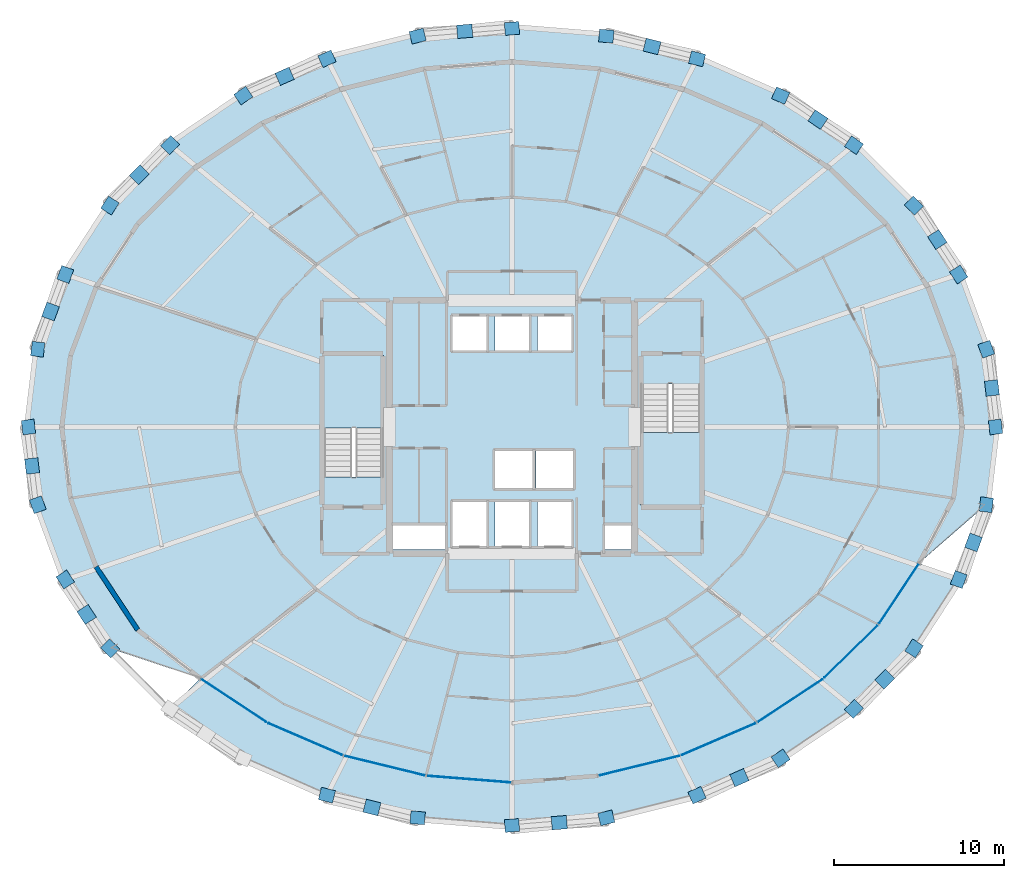
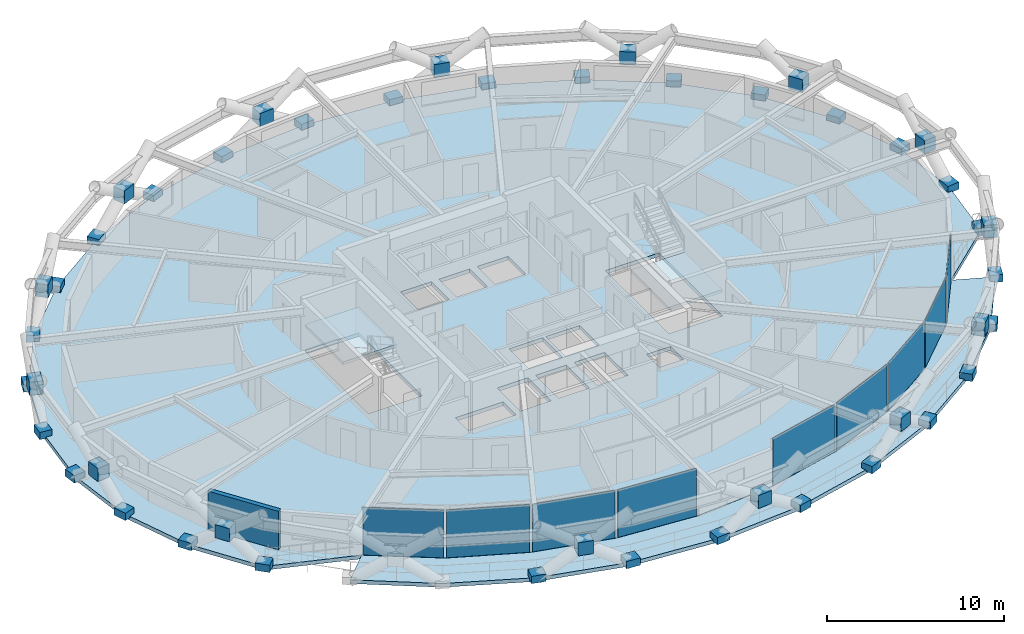
# One storey, part 12 of 19: 54 plates, 4 slabs, 1 wall, 4 elements without a shape of their own.
"""IFC4 building model written with IfcOpenShell, lengths in metres."""

from ifc_helpers import new_model, si_unit, direction, frame, frame_2d, origin, origin_2d, place, context, subcontext, project, spatial, polyline, rectangle, outline, extrude, material, layer, layer_set, type_object, element, aggregate, save


model = new_model("IFC4")

# Units and contexts
model_context = context("Model", 3, precision=1e-05, world=origin(), true_north=direction((0.0, 1.0)))
body_context = subcontext(model_context, "Body", "Model", "MODEL_VIEW")
ifc_project = project(units=[si_unit("LENGTHUNIT", "METRE"), si_unit("AREAUNIT", "SQUARE_METRE"), si_unit("VOLUMEUNIT", "CUBIC_METRE"), si_unit("PLANEANGLEUNIT", "RADIAN"), si_unit("MASSUNIT", "GRAM", prefix="KILO")], contexts=[model_context])

# Site, building, storey
site_placement = place(None, origin())
site = spatial("IfcSite", under=ifc_project, at=site_placement, CompositionType="ELEMENT")
building_placement = place(site_placement, origin())
building = spatial("IfcBuilding", under=site, at=building_placement, Name="Veldorina Hangang Commons", CompositionType="ELEMENT")
storey_placement = place(building_placement, frame((0.0, 0.0, 52.0)))
storey = spatial("IfcBuildingStorey", under=building, at=storey_placement, Name="L12", CompositionType="ELEMENT", Elevation=52.0)

# Curtain wall, plates
ifc_material_1 = material(Name="Glass Low-E Triple IGU", Category="glass")
ifc_layer_1 = layer(ifc_material_1, 0.179931640625)
ifc_layer_set_1 = layer_set([ifc_layer_1], Name="Glass Low-E Triple IGU")
curtain_wall_type = type_object("IfcCurtainWallType", Name="CW-SYS-Z1", PredefinedType="NOTDEFINED", material=ifc_layer_set_1)
curtain_wall_1_placement = place(storey_placement, origin())
curtain_wall_1 = element("IfcCurtainWall", 1, at=curtain_wall_1_placement, inside=storey, type_object=curtain_wall_type, Name="L12 unitised curtain wall CW-L12-R1", PredefinedType="NOTDEFINED")
ifc_layer_2 = layer(ifc_material_1, 0.0400390625)
ifc_layer_set_2 = layer_set([ifc_layer_2], Name="Glass Low-E Triple IGU")
plate_type_1 = type_object("IfcPlateType", Name="CW-PNL-VIS", PredefinedType="CURTAIN_PANEL", material=ifc_layer_set_2)
plate_1_placement = place(storey_placement, frame((15.638671875, 7.91015625, 0.014892578125), z_axis=(0.0, 0.0, 1.0), x_axis=(0.833712384802, -0.552198931028, 0.0)))
plate_1 = element("IfcPlate", 2, at=plate_1_placement, type_object=plate_type_1, Name="CW-L12-R1 facet 1 glazed vision panel", PredefinedType="CURTAIN_PANEL", context=body_context, shape_type="SweptSolid", body=[
    extrude(rectangle(XDim=4.530517578125, YDim=0.0400390625, at=origin_2d()), origin(), (0.0, 0.0, 1.0), 3.27001953125),
])
plate_2_placement = place(storey_placement, frame((19.842529296875, 5.643310546875, 0.014892578125), z_axis=(0.0, 0.0, 1.0), x_axis=(0.918211498221, -0.396090449942, 0.0)))
plate_2 = element("IfcPlate", 3, at=plate_2_placement, type_object=plate_type_1, Name="CW-L12-R1 facet 2 glazed vision panel", PredefinedType="CURTAIN_PANEL", context=body_context, shape_type="SweptSolid", body=[
    extrude(rectangle(XDim=4.699462890625, YDim=0.0400390625, at=origin_2d()), origin(), (0.0, 0.0, 1.0), 3.27001953125),
])
plate_3_placement = place(storey_placement, frame((24.513427734375, 4.081787109375, 0.014892578125), z_axis=(0.0, 0.0, 1.0), x_axis=(0.971313023754, -0.237804562373, 0.0)))
plate_3 = element("IfcPlate", 4, at=plate_3_placement, type_object=plate_type_1, Name="CW-L12-R1 facet 3 glazed vision panel", PredefinedType="CURTAIN_PANEL", context=body_context, shape_type="SweptSolid", body=[
    extrude(rectangle(XDim=4.8251953125, YDim=0.0400390625, at=origin_2d()), origin(), (0.0, 0.0, 1.0), 3.27001953125),
])
plate_4_placement = place(storey_placement, frame((29.47216796875, 3.285888671875, 0.014892578125), z_axis=(0.0, 0.0, 1.0), x_axis=(0.996855404635, -0.079242048492, 0.0)))
plate_4 = element("IfcPlate", 5, at=plate_4_placement, type_object=plate_type_1, Name="CW-L12-R1 facet 4 glazed vision panel", PredefinedType="CURTAIN_PANEL", context=body_context, shape_type="SweptSolid", body=[
    extrude(rectangle(XDim=4.8916015625, YDim=0.0400390625, at=origin_2d()), origin(), (0.0, 0.0, 1.0), 3.27001953125),
])
aggregate(curtain_wall_1, [plate_1, plate_2, plate_3, plate_4])

curtain_wall_2_placement = place(storey_placement, origin())
curtain_wall_2 = element("IfcCurtainWall", 6, at=curtain_wall_2_placement, inside=storey, type_object=curtain_wall_type, Name="L12 unitised curtain wall CW-L12-R2", PredefinedType="NOTDEFINED")
plate_5_placement = place(storey_placement, frame((39.486572265625, 4.081787109375, 0.014892578125), z_axis=(0.0, 0.0, 1.0), x_axis=(0.971313023754, 0.237804562373, 0.0)))
plate_5 = element("IfcPlate", 7, at=plate_5_placement, type_object=plate_type_1, Name="CW-L12-R2 facet 1 glazed vision panel", PredefinedType="CURTAIN_PANEL", context=body_context, shape_type="SweptSolid", body=[
    extrude(rectangle(XDim=4.8251953125, YDim=0.0400390625, at=origin_2d()), origin(), (0.0, 0.0, 1.0), 3.27001953125),
])
plate_6_placement = place(storey_placement, frame((44.157470703125, 5.643310546875, 0.014892578125), z_axis=(0.0, 0.0, 1.0), x_axis=(0.918211498221, 0.396090449942, 0.0)))
plate_6 = element("IfcPlate", 8, at=plate_6_placement, type_object=plate_type_1, Name="CW-L12-R2 facet 2 glazed vision panel", PredefinedType="CURTAIN_PANEL", context=body_context, shape_type="SweptSolid", body=[
    extrude(rectangle(XDim=4.699462890625, YDim=0.0400390625, at=origin_2d()), origin(), (0.0, 0.0, 1.0), 3.27001953125),
])
plate_7_placement = place(storey_placement, frame((48.361083984375, 7.91015625, 0.014892578125), z_axis=(0.0, 0.0, 1.0), x_axis=(0.833712384802, 0.552198931028, 0.0)))
plate_7 = element("IfcPlate", 9, at=plate_7_placement, type_object=plate_type_1, Name="CW-L12-R2 facet 3 glazed vision panel", PredefinedType="CURTAIN_PANEL", context=body_context, shape_type="SweptSolid", body=[
    extrude(rectangle(XDim=4.530517578125, YDim=0.0400390625, at=origin_2d()), origin(), (0.0, 0.0, 1.0), 3.27001953125),
])
plate_8_placement = place(storey_placement, frame((51.936279296875, 10.79541015625, 0.014892578125), z_axis=(0.0, 0.0, 1.0), x_axis=(0.713005742217, 0.701158192968, 0.0)))
plate_8 = element("IfcPlate", 10, at=plate_8_placement, type_object=plate_type_1, Name="CW-L12-R2 facet 4 glazed vision panel", PredefinedType="CURTAIN_PANEL", context=body_context, shape_type="SweptSolid", body=[
    extrude(rectangle(XDim=4.340087890625, YDim=0.0400390625, at=origin_2d()), origin(), (0.0, 0.0, 1.0), 3.27001953125),
])
plate_9_placement = place(storey_placement, frame((54.7451171875, 14.18798828125, 0.014892578125), z_axis=(0.0, 0.0, 1.0), x_axis=(0.552169828639, 0.833731659673, 0.0)))
plate_9 = element("IfcPlate", 11, at=plate_9_placement, type_object=plate_type_1, Name="CW-L12-R2 facet 5 glazed vision panel", PredefinedType="CURTAIN_PANEL", context=body_context, shape_type="SweptSolid", body=[
    extrude(rectangle(XDim=4.156982421875, YDim=0.0400390625, at=origin_2d()), origin(), (0.0, 0.0, 1.0), 3.27001953125),
])
aggregate(curtain_wall_2, [plate_5, plate_6, plate_7, plate_8, plate_9])

# Plates
ifc_material_2 = material(Name="Steel SM460-TMC", Category="steel")
ifc_layer_3 = layer(ifc_material_2, 0.035888671875)
ifc_layer_set_3 = layer_set([ifc_layer_3], Name="Steel SM460-TMC")
plate_type_2 = type_object("IfcPlateType", Name="PL-STAR-36", PredefinedType="USERDEFINED", material=ifc_layer_set_3)
plate_10_placement = place(storey_placement, frame((60.435302734375, 24.0, -0.090087890625), z_axis=(0.0, 0.0, 1.0), x_axis=(-0.118663922008, 0.992934475992, 0.0)))
element("IfcPlate", 12, at=plate_10_placement, inside=storey, type_object=plate_type_2, Name="L12 diagrid star-node gusset plate 00", ObjectType="GUSSET PLATE", PredefinedType="USERDEFINED", context=body_context, shape_type="SweptSolid", body=[
    extrude(rectangle(XDim=0.85009765625, YDim=0.75, at=origin_2d()), origin(), (0.0, 0.0, 1.0), 0.5),
])
plate_11_placement = place(storey_placement, frame((60.22412109375, 26.2919921875, 1.34521484375), z_axis=(0.0, 0.0, 1.0), x_axis=(-0.118663922008, 0.992934475992, 0.0)))
element("IfcPlate", 13, at=plate_11_placement, inside=storey, type_object=plate_type_2, Name="L12 diagrid X-crossing star-node gusset plate 00", ObjectType="GUSSET PLATE", PredefinedType="USERDEFINED", context=body_context, shape_type="SweptSolid", body=[
    extrude(rectangle(XDim=0.89990234375, YDim=0.780029296875, at=origin_2d()), origin(), (0.0, 0.0, 1.0), 0.89990234375),
])
for number, where, z_axis, x_axis, name in (
    (14, (59.888916015625, 28.572021484375, -0.090087890625), (0.0, 0.0, 1.0), (-0.345412854974, 0.938450829622, 0.0), "L12 diagrid star-node gusset plate 01"),
    (15, (58.270751953125, 32.96826171875, -0.090087890625), (0.0, 0.0, 1.0), (-0.544141262017, 0.838993615572, 0.0), "L12 diagrid star-node gusset plate 02"),
):
    element("IfcPlate", number, at=place(storey_placement, frame(where, z_axis=z_axis, x_axis=x_axis)), inside=storey, type_object=plate_type_2, Name=name, ObjectType="GUSSET PLATE", PredefinedType="USERDEFINED", context=body_context, shape_type="SweptSolid", body=[
        extrude(rectangle(XDim=0.85009765625, YDim=0.75, at=origin_2d()), origin(), (0.0, 0.0, 1.0), 0.5),
    ])
plate_12_placement = place(storey_placement, frame((57.01220703125, 35.023681640625, 1.345458984375), z_axis=(0.0, 0.0, 1.0), x_axis=(-0.544141262017, 0.838993615572, 0.0)))
element("IfcPlate", 16, at=plate_12_placement, inside=storey, type_object=plate_type_2, Name="L12 diagrid X-crossing star-node gusset plate 02", ObjectType="GUSSET PLATE", PredefinedType="USERDEFINED", context=body_context, shape_type="SweptSolid", body=[
    extrude(rectangle(XDim=0.89990234375, YDim=0.780029296875, at=origin_2d()), origin(), (0.0, 0.0, 1.0), 0.89990234375),
])
for number, where, z_axis, x_axis, name in (
    (17, (55.64306640625, 37.02001953125, -0.090087890625), (0.0, 0.0, 1.0), (-0.705611903162, 0.708598505584, 0.0), "L12 diagrid star-node gusset plate 03"),
    (18, (52.106689453125, 40.5712890625, -0.090087890625), (0.0, 0.0, 1.0), (-0.828314659262, 0.560263174992, 0.0), "L12 diagrid star-node gusset plate 04"),
):
    element("IfcPlate", number, at=place(storey_placement, frame(where, z_axis=z_axis, x_axis=x_axis)), inside=storey, type_object=plate_type_2, Name=name, ObjectType="GUSSET PLATE", PredefinedType="USERDEFINED", context=body_context, shape_type="SweptSolid", body=[
        extrude(rectangle(XDim=0.85009765625, YDim=0.75, at=origin_2d()), origin(), (0.0, 0.0, 1.0), 0.5),
    ])
plate_13_placement = place(storey_placement, frame((49.9921875, 42.076904296875, 1.345947265625), z_axis=(0.0, 0.0, 1.0), x_axis=(-0.828314659262, 0.560263174992, 0.0)))
element("IfcPlate", 19, at=plate_13_placement, inside=storey, type_object=plate_type_2, Name="L12 diagrid X-crossing star-node gusset plate 04", ObjectType="GUSSET PLATE", PredefinedType="USERDEFINED", context=body_context, shape_type="SweptSolid", body=[
    extrude(rectangle(XDim=0.89990234375, YDim=0.780029296875, at=origin_2d()), origin(), (0.0, 0.0, 1.0), 0.89990234375),
])
for number, where, z_axis, x_axis, name in (
    (20, (47.7978515625, 43.485595703125, -0.090087890625), (0.0, 0.0, 1.0), (-0.915142696685, 0.40313005929, 0.0), "L12 diagrid star-node gusset plate 05"),
    (21, (42.881591796875, 45.6513671875, -0.090087890625), (0.0, 0.0, 1.0), (-0.970143530747, 0.242531502591, 0.0), "L12 diagrid star-node gusset plate 06"),
):
    element("IfcPlate", number, at=place(storey_placement, frame(where, z_axis=z_axis, x_axis=x_axis)), inside=storey, type_object=plate_type_2, Name=name, ObjectType="GUSSET PLATE", PredefinedType="USERDEFINED", context=body_context, shape_type="SweptSolid", body=[
        extrude(rectangle(XDim=0.85009765625, YDim=0.75, at=origin_2d()), origin(), (0.0, 0.0, 1.0), 0.5),
    ])
plate_14_placement = place(storey_placement, frame((40.232666015625, 46.3779296875, 1.345947265625), z_axis=(0.0, 0.0, 1.0), x_axis=(-0.970143530747, 0.242531502591, 0.0)))
element("IfcPlate", 22, at=plate_14_placement, inside=storey, type_object=plate_type_2, Name="L12 diagrid X-crossing star-node gusset plate 06", ObjectType="GUSSET PLATE", PredefinedType="USERDEFINED", context=body_context, shape_type="SweptSolid", body=[
    extrude(rectangle(XDim=0.89990234375, YDim=0.780029296875, at=origin_2d()), origin(), (0.0, 0.0, 1.0), 0.89990234375),
])
for number, where, z_axis, x_axis, name in (
    (23, (37.54736328125, 46.98486328125, -0.090087890625), (0.0, 0.0, 1.0), (-0.996721234108, 0.080912183742, 0.0), "L12 diagrid star-node gusset plate 07"),
    (24, (32.0, 47.435302734375, -0.090087890625), (0.0, 0.0, 1.0), (-0.996721234108, -0.080912183742, 0.0), "L12 diagrid star-node gusset plate 08"),
):
    element("IfcPlate", number, at=place(storey_placement, frame(where, z_axis=z_axis, x_axis=x_axis)), inside=storey, type_object=plate_type_2, Name=name, ObjectType="GUSSET PLATE", PredefinedType="USERDEFINED", context=body_context, shape_type="SweptSolid", body=[
        extrude(rectangle(XDim=0.85009765625, YDim=0.75, at=origin_2d()), origin(), (0.0, 0.0, 1.0), 0.5),
    ])
plate_15_placement = place(storey_placement, frame((29.22021484375, 47.27197265625, 1.345947265625), z_axis=(0.0, 0.0, 1.0), x_axis=(-0.996721234108, -0.080912183742, 0.0)))
element("IfcPlate", 25, at=plate_15_placement, inside=storey, type_object=plate_type_2, Name="L12 diagrid X-crossing star-node gusset plate 08", ObjectType="GUSSET PLATE", PredefinedType="USERDEFINED", context=body_context, shape_type="SweptSolid", body=[
    extrude(rectangle(XDim=0.89990234375, YDim=0.780029296875, at=origin_2d()), origin(), (0.0, 0.0, 1.0), 0.89990234375),
])
for number, where, z_axis, x_axis, name in (
    (26, (26.45263671875, 46.98486328125, -0.090087890625), (0.0, 0.0, 1.0), (-0.970143530747, -0.242531502591, 0.0), "L12 diagrid star-node gusset plate 09"),
    (27, (21.118408203125, 45.6513671875, -0.090087890625), (0.0, 0.0, 1.0), (-0.915142696685, -0.40313005929, 0.0), "L12 diagrid star-node gusset plate 10"),
):
    element("IfcPlate", number, at=place(storey_placement, frame(where, z_axis=z_axis, x_axis=x_axis)), inside=storey, type_object=plate_type_2, Name=name, ObjectType="GUSSET PLATE", PredefinedType="USERDEFINED", context=body_context, shape_type="SweptSolid", body=[
        extrude(rectangle(XDim=0.85009765625, YDim=0.75, at=origin_2d()), origin(), (0.0, 0.0, 1.0), 0.5),
    ])
plate_16_placement = place(storey_placement, frame((18.631103515625, 44.623046875, 1.345947265625), z_axis=(0.0, 0.0, 1.0), x_axis=(-0.915142696685, -0.40313005929, 0.0)))
element("IfcPlate", 28, at=plate_16_placement, inside=storey, type_object=plate_type_2, Name="L12 diagrid X-crossing star-node gusset plate 10", ObjectType="GUSSET PLATE", PredefinedType="USERDEFINED", context=body_context, shape_type="SweptSolid", body=[
    extrude(rectangle(XDim=0.89990234375, YDim=0.780029296875, at=origin_2d()), origin(), (0.0, 0.0, 1.0), 0.89990234375),
])
for number, where, z_axis, x_axis, name in (
    (29, (16.2021484375, 43.485595703125, -0.090087890625), (0.0, 0.0, 1.0), (-0.828314659262, -0.560263174992, 0.0), "L12 diagrid star-node gusset plate 11"),
    (30, (11.893310546875, 40.5712890625, -0.090087890625), (0.0, 0.0, 1.0), (-0.705611903162, -0.708598505584, 0.0), "L12 diagrid star-node gusset plate 12"),
):
    element("IfcPlate", number, at=place(storey_placement, frame(where, z_axis=z_axis, x_axis=x_axis)), inside=storey, type_object=plate_type_2, Name=name, ObjectType="GUSSET PLATE", PredefinedType="USERDEFINED", context=body_context, shape_type="SweptSolid", body=[
        extrude(rectangle(XDim=0.85009765625, YDim=0.75, at=origin_2d()), origin(), (0.0, 0.0, 1.0), 0.5),
    ])
plate_17_placement = place(storey_placement, frame((10.077392578125, 38.834716796875, 1.345703125), z_axis=(0.0, 0.0, 1.0), x_axis=(-0.705611903162, -0.708598505584, 0.0)))
element("IfcPlate", 31, at=plate_17_placement, inside=storey, type_object=plate_type_2, Name="L12 diagrid X-crossing star-node gusset plate 12", ObjectType="GUSSET PLATE", PredefinedType="USERDEFINED", context=body_context, shape_type="SweptSolid", body=[
    extrude(rectangle(XDim=0.89990234375, YDim=0.780029296875, at=origin_2d()), origin(), (0.0, 0.0, 1.0), 0.89990234375),
])
for number, where, z_axis, x_axis, name in (
    (32, (8.35693359375, 37.02001953125, -0.090087890625), (0.0, 0.0, 1.0), (-0.544141262017, -0.838993615572, 0.0), "L12 diagrid star-node gusset plate 13"),
    (33, (5.729248046875, 32.96826171875, -0.090087890625), (0.0, 0.0, 1.0), (-0.345412854974, -0.938450829622, 0.0), "L12 diagrid star-node gusset plate 14"),
):
    element("IfcPlate", number, at=place(storey_placement, frame(where, z_axis=z_axis, x_axis=x_axis)), inside=storey, type_object=plate_type_2, Name=name, ObjectType="GUSSET PLATE", PredefinedType="USERDEFINED", context=body_context, shape_type="SweptSolid", body=[
        extrude(rectangle(XDim=0.85009765625, YDim=0.75, at=origin_2d()), origin(), (0.0, 0.0, 1.0), 0.5),
    ])
plate_18_placement = place(storey_placement, frame((4.861083984375, 30.7880859375, 1.345458984375), z_axis=(0.0, 0.0, 1.0), x_axis=(-0.345412854974, -0.938450829622, 0.0)))
element("IfcPlate", 34, at=plate_18_placement, inside=storey, type_object=plate_type_2, Name="L12 diagrid X-crossing star-node gusset plate 14", ObjectType="GUSSET PLATE", PredefinedType="USERDEFINED", context=body_context, shape_type="SweptSolid", body=[
    extrude(rectangle(XDim=0.89990234375, YDim=0.780029296875, at=origin_2d()), origin(), (0.0, 0.0, 1.0), 0.89990234375),
])
for number, where, z_axis, x_axis, name in (
    (35, (4.111083984375, 28.572021484375, -0.090087890625), (0.0, 0.0, 1.0), (-0.118663922008, -0.992934475992, 0.0), "L12 diagrid star-node gusset plate 15"),
    (36, (3.564697265625, 24.0, -0.090087890625), (0.0, 0.0, 1.0), (0.118663922008, -0.992934475992, 0.0), "L12 diagrid star-node gusset plate 16"),
):
    element("IfcPlate", number, at=place(storey_placement, frame(where, z_axis=z_axis, x_axis=x_axis)), inside=storey, type_object=plate_type_2, Name=name, ObjectType="GUSSET PLATE", PredefinedType="USERDEFINED", context=body_context, shape_type="SweptSolid", body=[
        extrude(rectangle(XDim=0.85009765625, YDim=0.75, at=origin_2d()), origin(), (0.0, 0.0, 1.0), 0.5),
    ])
plate_19_placement = place(storey_placement, frame((3.77587890625, 21.7080078125, 1.34521484375), z_axis=(0.0, 0.0, 1.0), x_axis=(0.118663922008, -0.992934475992, 0.0)))
element("IfcPlate", 37, at=plate_19_placement, inside=storey, type_object=plate_type_2, Name="L12 diagrid X-crossing star-node gusset plate 16", ObjectType="GUSSET PLATE", PredefinedType="USERDEFINED", context=body_context, shape_type="SweptSolid", body=[
    extrude(rectangle(XDim=0.89990234375, YDim=0.780029296875, at=origin_2d()), origin(), (0.0, 0.0, 1.0), 0.89990234375),
])
for number, where, z_axis, x_axis, name in (
    (38, (4.111083984375, 19.427978515625, -0.090087890625), (0.0, 0.0, 1.0), (0.345412854974, -0.938450829622, 0.0), "L12 diagrid star-node gusset plate 17"),
    (39, (5.729248046875, 15.03173828125, -0.090087890625), (0.0, 0.0, 1.0), (0.544141262017, -0.838993615572, 0.0), "L12 diagrid star-node gusset plate 18"),
):
    element("IfcPlate", number, at=place(storey_placement, frame(where, z_axis=z_axis, x_axis=x_axis)), inside=storey, type_object=plate_type_2, Name=name, ObjectType="GUSSET PLATE", PredefinedType="USERDEFINED", context=body_context, shape_type="SweptSolid", body=[
        extrude(rectangle(XDim=0.85009765625, YDim=0.75, at=origin_2d()), origin(), (0.0, 0.0, 1.0), 0.5),
    ])
plate_20_placement = place(storey_placement, frame((6.98779296875, 12.976318359375, 1.345458984375), z_axis=(0.0, 0.0, 1.0), x_axis=(0.544141262017, -0.838993615572, 0.0)))
element("IfcPlate", 40, at=plate_20_placement, inside=storey, type_object=plate_type_2, Name="L12 diagrid X-crossing star-node gusset plate 18", ObjectType="GUSSET PLATE", PredefinedType="USERDEFINED", context=body_context, shape_type="SweptSolid", body=[
    extrude(rectangle(XDim=0.89990234375, YDim=0.780029296875, at=origin_2d()), origin(), (0.0, 0.0, 1.0), 0.89990234375),
])
for number, where, z_axis, x_axis, name in (
    (41, (8.35693359375, 10.97998046875, -0.090087890625), (0.0, 0.0, 1.0), (0.705611903162, -0.708598505584, 0.0), "L12 diagrid star-node gusset plate 19"),
    (42, (21.118408203125, 2.3486328125, -0.090087890625), (0.0, 0.0, 1.0), (0.970143530747, -0.242531502591, 0.0), "L12 diagrid star-node gusset plate 22"),
):
    element("IfcPlate", number, at=place(storey_placement, frame(where, z_axis=z_axis, x_axis=x_axis)), inside=storey, type_object=plate_type_2, Name=name, ObjectType="GUSSET PLATE", PredefinedType="USERDEFINED", context=body_context, shape_type="SweptSolid", body=[
        extrude(rectangle(XDim=0.85009765625, YDim=0.75, at=origin_2d()), origin(), (0.0, 0.0, 1.0), 0.5),
    ])
plate_21_placement = place(storey_placement, frame((23.767333984375, 1.6220703125, 1.345947265625), z_axis=(0.0, 0.0, 1.0), x_axis=(0.970143530747, -0.242531502591, 0.0)))
element("IfcPlate", 43, at=plate_21_placement, inside=storey, type_object=plate_type_2, Name="L12 diagrid X-crossing star-node gusset plate 22", ObjectType="GUSSET PLATE", PredefinedType="USERDEFINED", context=body_context, shape_type="SweptSolid", body=[
    extrude(rectangle(XDim=0.89990234375, YDim=0.780029296875, at=origin_2d()), origin(), (0.0, 0.0, 1.0), 0.89990234375),
])
for number, where, z_axis, x_axis, name in (
    (44, (26.45263671875, 1.01513671875, -0.090087890625), (0.0, 0.0, 1.0), (0.996721234108, -0.080912183742, 0.0), "L12 diagrid star-node gusset plate 23"),
    (45, (32.0, 0.564697265625, -0.090087890625), (0.0, 0.0, 1.0), (0.996721234108, 0.080912183742, 0.0), "L12 diagrid star-node gusset plate 24"),
):
    element("IfcPlate", number, at=place(storey_placement, frame(where, z_axis=z_axis, x_axis=x_axis)), inside=storey, type_object=plate_type_2, Name=name, ObjectType="GUSSET PLATE", PredefinedType="USERDEFINED", context=body_context, shape_type="SweptSolid", body=[
        extrude(rectangle(XDim=0.85009765625, YDim=0.75, at=origin_2d()), origin(), (0.0, 0.0, 1.0), 0.5),
    ])
plate_22_placement = place(storey_placement, frame((34.77978515625, 0.72802734375, 1.345947265625), z_axis=(0.0, 0.0, 1.0), x_axis=(0.996721234108, 0.080912183742, 0.0)))
element("IfcPlate", 46, at=plate_22_placement, inside=storey, type_object=plate_type_2, Name="L12 diagrid X-crossing star-node gusset plate 24", ObjectType="GUSSET PLATE", PredefinedType="USERDEFINED", context=body_context, shape_type="SweptSolid", body=[
    extrude(rectangle(XDim=0.89990234375, YDim=0.780029296875, at=origin_2d()), origin(), (0.0, 0.0, 1.0), 0.89990234375),
])
for number, where, z_axis, x_axis, name in (
    (47, (37.54736328125, 1.01513671875, -0.090087890625), (0.0, 0.0, 1.0), (0.970143530747, 0.242531502591, 0.0), "L12 diagrid star-node gusset plate 25"),
    (48, (42.881591796875, 2.3486328125, -0.090087890625), (0.0, 0.0, 1.0), (0.915142696685, 0.40313005929, 0.0), "L12 diagrid star-node gusset plate 26"),
):
    element("IfcPlate", number, at=place(storey_placement, frame(where, z_axis=z_axis, x_axis=x_axis)), inside=storey, type_object=plate_type_2, Name=name, ObjectType="GUSSET PLATE", PredefinedType="USERDEFINED", context=body_context, shape_type="SweptSolid", body=[
        extrude(rectangle(XDim=0.85009765625, YDim=0.75, at=origin_2d()), origin(), (0.0, 0.0, 1.0), 0.5),
    ])
plate_23_placement = place(storey_placement, frame((45.368896484375, 3.376953125, 1.345947265625), z_axis=(0.0, 0.0, 1.0), x_axis=(0.915142696685, 0.40313005929, 0.0)))
element("IfcPlate", 49, at=plate_23_placement, inside=storey, type_object=plate_type_2, Name="L12 diagrid X-crossing star-node gusset plate 26", ObjectType="GUSSET PLATE", PredefinedType="USERDEFINED", context=body_context, shape_type="SweptSolid", body=[
    extrude(rectangle(XDim=0.89990234375, YDim=0.780029296875, at=origin_2d()), origin(), (0.0, 0.0, 1.0), 0.89990234375),
])
for number, where, z_axis, x_axis, name in (
    (50, (47.7978515625, 4.514404296875, -0.090087890625), (0.0, 0.0, 1.0), (0.828314659262, 0.560263174992, 0.0), "L12 diagrid star-node gusset plate 27"),
    (51, (52.106689453125, 7.4287109375, -0.090087890625), (0.0, 0.0, 1.0), (0.705611903162, 0.708598505584, 0.0), "L12 diagrid star-node gusset plate 28"),
):
    element("IfcPlate", number, at=place(storey_placement, frame(where, z_axis=z_axis, x_axis=x_axis)), inside=storey, type_object=plate_type_2, Name=name, ObjectType="GUSSET PLATE", PredefinedType="USERDEFINED", context=body_context, shape_type="SweptSolid", body=[
        extrude(rectangle(XDim=0.85009765625, YDim=0.75, at=origin_2d()), origin(), (0.0, 0.0, 1.0), 0.5),
    ])
plate_24_placement = place(storey_placement, frame((53.922607421875, 9.165283203125, 1.345703125), z_axis=(0.0, 0.0, 1.0), x_axis=(0.705611903162, 0.708598505584, 0.0)))
element("IfcPlate", 52, at=plate_24_placement, inside=storey, type_object=plate_type_2, Name="L12 diagrid X-crossing star-node gusset plate 28", ObjectType="GUSSET PLATE", PredefinedType="USERDEFINED", context=body_context, shape_type="SweptSolid", body=[
    extrude(rectangle(XDim=0.89990234375, YDim=0.780029296875, at=origin_2d()), origin(), (0.0, 0.0, 1.0), 0.89990234375),
])
for number, where, z_axis, x_axis, name in (
    (53, (55.64306640625, 10.97998046875, -0.090087890625), (0.0, 0.0, 1.0), (0.544141262017, 0.838993615572, 0.0), "L12 diagrid star-node gusset plate 29"),
    (54, (58.270751953125, 15.03173828125, -0.090087890625), (0.0, 0.0, 1.0), (0.345412854974, 0.938450829622, 0.0), "L12 diagrid star-node gusset plate 30"),
):
    element("IfcPlate", number, at=place(storey_placement, frame(where, z_axis=z_axis, x_axis=x_axis)), inside=storey, type_object=plate_type_2, Name=name, ObjectType="GUSSET PLATE", PredefinedType="USERDEFINED", context=body_context, shape_type="SweptSolid", body=[
        extrude(rectangle(XDim=0.85009765625, YDim=0.75, at=origin_2d()), origin(), (0.0, 0.0, 1.0), 0.5),
    ])
plate_25_placement = place(storey_placement, frame((59.138916015625, 17.2119140625, 1.345458984375), z_axis=(0.0, 0.0, 1.0), x_axis=(0.345412854974, 0.938450829622, 0.0)))
element("IfcPlate", 55, at=plate_25_placement, inside=storey, type_object=plate_type_2, Name="L12 diagrid X-crossing star-node gusset plate 30", ObjectType="GUSSET PLATE", PredefinedType="USERDEFINED", context=body_context, shape_type="SweptSolid", body=[
    extrude(rectangle(XDim=0.89990234375, YDim=0.780029296875, at=origin_2d()), origin(), (0.0, 0.0, 1.0), 0.89990234375),
])
plate_26_placement = place(storey_placement, frame((59.888916015625, 19.427978515625, -0.090087890625), z_axis=(0.0, 0.0, 1.0), x_axis=(0.118663922008, 0.992934475992, 0.0)))
element("IfcPlate", 56, at=plate_26_placement, inside=storey, type_object=plate_type_2, Name="L12 diagrid star-node gusset plate 31", ObjectType="GUSSET PLATE", PredefinedType="USERDEFINED", context=body_context, shape_type="SweptSolid", body=[
    extrude(rectangle(XDim=0.85009765625, YDim=0.75, at=origin_2d()), origin(), (0.0, 0.0, 1.0), 0.5),
])

# Slabs
ifc_material_3 = material(Name="Concrete C40/50", Category="concrete")
ifc_layer_4 = layer(ifc_material_3, 0.260009765625)
ifc_layer_set_4 = layer_set([ifc_layer_4], Name="Concrete C40/50")
slab_type_1 = type_object("IfcSlabType", Name="SL-FLR-260", PredefinedType="FLOOR", material=ifc_layer_set_4)
slab_1_placement = place(storey_placement, frame((0.0, 0.0, -0.260009765625)))
element("IfcSlab", 57, at=slab_1_placement, inside=storey, type_object=slab_type_1, Name="L12 tower structural floor slab", PredefinedType="FLOOR", context=body_context, shape_type="SweptSolid", body=[
    extrude(outline(polyline([(60.435302734375, 24.0), (59.888916015625, 28.572021484375), (58.270751953125, 32.96826171875), (55.64306640625, 37.02001953125), (52.106689453125, 40.5712890625), (47.7978515625, 43.485595703125), (42.881591796875, 45.6513671875), (37.54736328125, 46.98486328125), (32.0, 47.435302734375), (26.45263671875, 46.98486328125), (21.118408203125, 45.6513671875), (16.2021484375, 43.485595703125), (11.893310546875, 40.5712890625), (8.35693359375, 37.02001953125), (5.729248046875, 32.96826171875), (4.111083984375, 28.572021484375), (3.564697265625, 24.0), (4.111083984375, 19.427978515625), (5.729248046875, 15.03173828125), (8.35693359375, 10.97998046875), (13.67529296875, 9.210693359375), (17.602294921875, 6.609619140625), (22.082763671875, 4.677001953125), (26.944091796875, 3.48681640625), (32.0, 3.084716796875), (37.055908203125, 3.48681640625), (41.917236328125, 4.677001953125), (46.397705078125, 6.609619140625), (50.32470703125, 9.210693359375), (53.547607421875, 12.380126953125), (55.9423828125, 15.99609375), (59.888916015625, 19.427978515625), (60.435302734375, 24.0)]), holes=[polyline([(20.949951171875, 21.05810546875), (20.949951171875, 28.199951171875), (24.449951171875, 28.199951171875), (24.449951171875, 21.05810546875), (20.949951171875, 21.05810546875)]), polyline([(43.050048828125, 26.5419921875), (43.050048828125, 19.39990234375), (39.550048828125, 19.39990234375), (39.550048828125, 26.5419921875), (43.050048828125, 26.5419921875)]), polyline([(28.5, 30.5), (30.5, 30.5), (30.5, 28.5), (28.5, 28.5), (28.5, 30.5)]), polyline([(31.0, 30.5), (33.0, 30.5), (33.0, 28.5), (31.0, 28.5), (31.0, 30.5)]), polyline([(33.5, 30.5), (35.5, 30.5), (35.5, 28.5), (33.5, 28.5), (33.5, 30.5)]), polyline([(31.0, 22.60009765625), (33.199951171875, 22.60009765625), (33.199951171875, 20.39990234375), (31.0, 20.39990234375), (31.0, 22.60009765625)]), polyline([(33.39990234375, 22.60009765625), (35.60009765625, 22.60009765625), (35.60009765625, 20.39990234375), (33.39990234375, 20.39990234375), (33.39990234375, 22.60009765625)]), polyline([(28.5, 19.60009765625), (30.5, 19.60009765625), (30.5, 17.0), (28.5, 17.0), (28.5, 19.60009765625)]), polyline([(31.0, 19.60009765625), (33.0, 19.60009765625), (33.0, 17.0), (31.0, 17.0), (31.0, 19.60009765625)]), polyline([(33.5, 19.60009765625), (35.5, 19.60009765625), (35.5, 17.0), (33.5, 17.0), (33.5, 19.60009765625)]), polyline([(25.0, 18.25), (28.10009765625, 18.25), (28.10009765625, 16.800048828125), (25.0, 16.800048828125), (25.0, 18.25)]), polyline([(37.449951171875, 18.25), (39.0, 18.25), (39.0, 16.800048828125), (37.449951171875, 16.800048828125), (37.449951171875, 18.25)])]), origin(), (0.0, 0.0, 1.0), 0.260009765625),
])
slab_2_placement = place(storey_placement, frame((0.0, 0.0, -0.260009765625)))
element("IfcSlab", 58, at=slab_2_placement, inside=storey, type_object=slab_type_1, Name="L12 sky-garden loggia outdoor slab", PredefinedType="FLOOR", context=body_context, shape_type="SweptSolid", body=[
    extrude(outline(polyline([(58.270751953125, 15.03173828125), (55.64306640625, 10.97998046875), (52.106689453125, 7.4287109375), (47.7978515625, 4.514404296875), (42.881591796875, 2.3486328125), (37.54736328125, 1.01513671875), (32.0, 0.564697265625), (26.45263671875, 1.01513671875), (21.118408203125, 2.3486328125), (16.2021484375, 4.514404296875), (11.893310546875, 7.4287109375), (13.663330078125, 9.19873046875), (13.668701171875, 9.197021484375), (17.593994140625, 6.59716796875), (17.59521484375, 6.596435546875), (17.596435546875, 6.595703125), (22.076904296875, 4.6630859375), (22.077880859375, 4.66259765625), (22.0791015625, 4.662353515625), (26.940673828125, 3.47216796875), (26.94189453125, 3.471923828125), (26.943115234375, 3.4716796875), (31.998779296875, 3.06982421875), (32.0, 3.06982421875), (32.001220703125, 3.06982421875), (37.056884765625, 3.4716796875), (37.05810546875, 3.471923828125), (37.059326171875, 3.47216796875), (41.9208984375, 4.662353515625), (41.922119140625, 4.66259765625), (41.923095703125, 4.6630859375), (46.403564453125, 6.595703125), (46.40478515625, 6.596435546875), (46.406005859375, 6.59716796875), (50.3330078125, 9.1982421875), (50.334228515625, 9.198974609375), (50.335205078125, 9.199951171875), (53.55810546875, 12.369384765625), (53.559326171875, 12.37060546875), (53.560302734375, 12.371826171875), (55.953857421875, 15.986083984375), (55.9580078125, 15.98974609375), (58.270751953125, 15.03173828125)])), origin(), (0.0, 0.0, 1.0), 0.260009765625),
])

# Stair, slab
stair_type = type_object("IfcStairType", Name="STR-DOG-1650-20R", PredefinedType="HALF_TURN_STAIR", material=ifc_material_3)
stair_1_placement = place(storey_placement, origin())
stair_1 = element("IfcStair", 59, at=stair_1_placement, inside=storey, type_object=stair_type, Name="L12 Exit stair ST-1", PredefinedType="HALF_TURN_STAIR")
ifc_layer_5 = layer(ifc_material_3, 0.199951171875)
ifc_layer_set_5 = layer_set([ifc_layer_5], Name="Concrete C40/50")
slab_type_2 = type_object("IfcSlabType", Name="SL-LND-200", PredefinedType="LANDING", material=ifc_layer_set_5)
slab_3_placement = place(storey_placement, frame((0.0, 0.0, 1.60009765625)))
slab_3 = element("IfcSlab", 60, at=slab_3_placement, type_object=slab_type_2, Name="ST-1 landing 1", PredefinedType="LANDING", context=body_context, shape_type="SweptSolid", body=[
    extrude(outline(polyline([(24.449951171875, 23.929931640625), (24.449951171875, 28.199951171875), (20.949951171875, 28.199951171875), (20.949951171875, 23.929931640625), (24.449951171875, 23.929931640625)])), origin(), (0.0, 0.0, 1.0), 0.199951171875),
])
aggregate(stair_1, [slab_3])

stair_2_placement = place(storey_placement, origin())
stair_2 = element("IfcStair", 61, at=stair_2_placement, inside=storey, type_object=stair_type, Name="L12 Exit stair ST-2", PredefinedType="HALF_TURN_STAIR")
slab_4_placement = place(storey_placement, frame((0.0, 0.0, 1.60009765625)))
slab_4 = element("IfcSlab", 62, at=slab_4_placement, type_object=slab_type_2, Name="ST-2 landing 1", PredefinedType="LANDING", context=body_context, shape_type="SweptSolid", body=[
    extrude(outline(polyline([(39.550048828125, 23.669921875), (39.550048828125, 19.39990234375), (43.050048828125, 19.39990234375), (43.050048828125, 23.669921875), (39.550048828125, 23.669921875)])), origin(), (0.0, 0.0, 1.0), 0.199951171875),
])
aggregate(stair_2, [slab_4])

# Wall
ifc_material_4 = material(Name="Stone Roman Travertine", Category="masonry")
ifc_layer_6 = layer(ifc_material_4, 0.280029296875)
ifc_layer_set_6 = layer_set([ifc_layer_6], Name="Stone Roman Travertine")
wall_type = type_object("IfcWallType", Name="EW-TRAV-280", PredefinedType="STANDARD", material=ifc_layer_set_6)
wall_placement = place(storey_placement, frame((7.5400390625, 15.78173828125, 0.0), z_axis=(0.0, 0.0, 1.0), x_axis=(0.550282912527, -0.834978272879, 0.0)))
element("IfcWall", 63, at=wall_placement, inside=storey, type_object=wall_type, Name="L12 travertine facade wall 18", PredefinedType="STANDARD", context=body_context, shape_type="SweptSolid", body=[
    extrude(rectangle(XDim=4.4462890625, YDim=0.280029296875, at=frame_2d((2.22314453125, 0.0))), origin(), (0.0, 0.0, 1.0), 2.64990234375),
])

save(model, "model.ifc")
